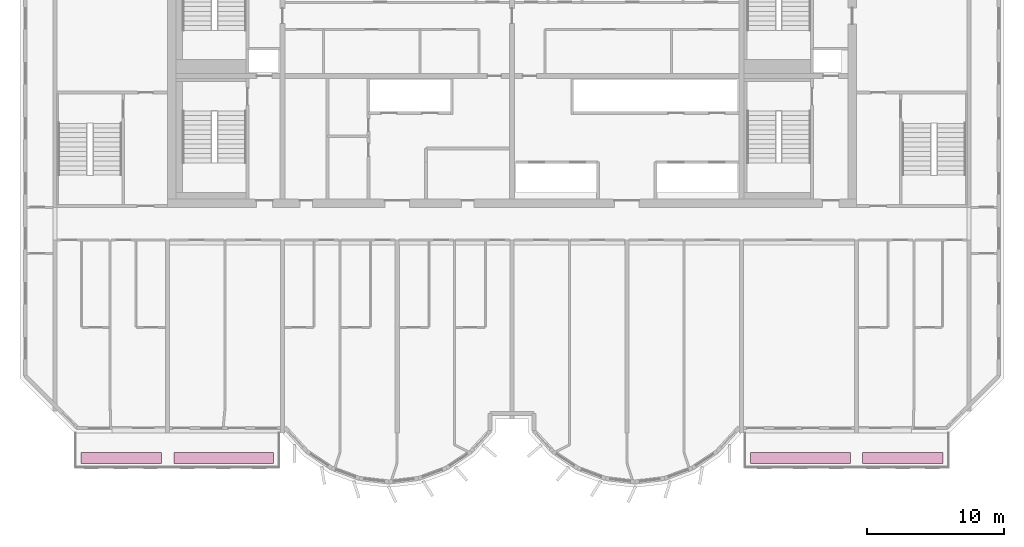
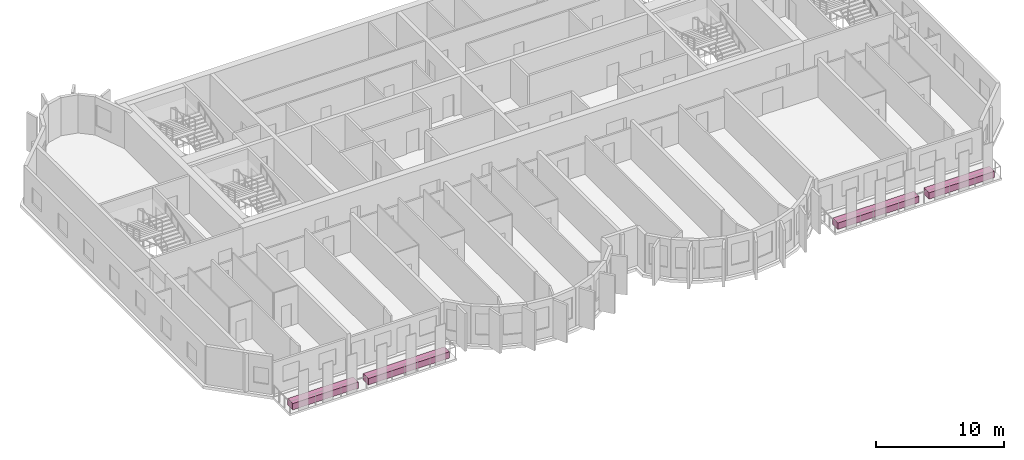
# One storey, part 11 of 11: 4 furniture elements.
"""IFC4 building model written with IfcOpenShell, lengths in metres."""

import ifcopenshell
import ifcopenshell.guid

model = None  # the IFC model being written
_history = None  # IfcOwnerHistory: only IFC2X3 demands one
_inside = {}  # id of a spatial element -> (the spatial element, [elements in it])
_under = {}  # id of a project, library or spatial element -> (it, [spatial elements below it])
_declared = {}  # id of a project -> (the project, [libraries it declares])
_typed = {}  # id of a type object -> (the type object, [elements of that type])
_made_of = {}  # id of a material, layer set ... -> (it, [elements and type objects made of it])


def new_model(schema):
    """Start an empty IFC model of exactly this schema.

    Asked for "IFC4X3", IfcOpenShell would pick the latest addendum, in which some entities
    have other attributes; the version numbers below select the first issue.
    IFC2X3 requires an IfcOwnerHistory on every rooted entity: one is made here for all.
    """
    global model, _history
    if schema == "IFC4X3":
        model = ifcopenshell.file(schema_version=(4, 3, 0, 0))
    else:
        model = ifcopenshell.file(schema=schema)
    _inside.clear()
    _under.clear()
    _declared.clear()
    _typed.clear()
    _made_of.clear()
    _history = None
    if model.schema == "IFC2X3":
        org = make("IfcOrganization", Name="unknown")
        user = make(
            "IfcPersonAndOrganization",
            ThePerson=make("IfcPerson", FamilyName="unknown"),
            TheOrganization=org,
        )
        app = make(
            "IfcApplication",
            ApplicationDeveloper=org,
            Version="unknown",
            ApplicationFullName="unknown",
            ApplicationIdentifier="unknown",
        )
        _history = make(
            "IfcOwnerHistory",
            OwningUser=user,
            OwningApplication=app,
            ChangeAction="ADDED",
            CreationDate=0,
        )
    return model


def make(cls, **values):
    """One entity of the class cls with the attributes given. An attribute that is None is left unset."""
    return model.create_entity(
        cls, **{name: value for name, value in values.items() if value is not None}
    )


def rooted(cls, **values):
    """An entity with a GlobalId (a new one), such as an element, a storey or a relation."""
    return make(cls, GlobalId=ifcopenshell.guid.new(), OwnerHistory=_history, **values)


def si_unit(unit_type, name, prefix=None):
    """IfcSIUnit, for example si_unit("LENGTHUNIT", "METRE", prefix="MILLI")."""
    return make("IfcSIUnit", UnitType=unit_type, Prefix=prefix, Name=name)


def assignment(units):
    """IfcUnitAssignment: the units of a project."""
    return None if units is None else make("IfcUnitAssignment", Units=units)


def point(xyz):
    """IfcCartesianPoint."""
    return None if xyz is None else make("IfcCartesianPoint", Coordinates=xyz)


def direction(xyz):
    """IfcDirection."""
    return None if xyz is None else make("IfcDirection", DirectionRatios=xyz)


def frame(location, z_axis=None, x_axis=None):
    """IfcAxis2Placement3D, a coordinate frame: its origin and axes. An axis left out is left unset."""
    return make(
        "IfcAxis2Placement3D",
        Location=point(location),
        Axis=direction(z_axis),
        RefDirection=direction(x_axis),
    )


def frame_2d(location, x_axis=None):
    """IfcAxis2Placement2D, a coordinate frame in the plane: its origin and x axis."""
    return make(
        "IfcAxis2Placement2D", Location=point(location), RefDirection=direction(x_axis)
    )


def origin():
    """The frame at (0, 0, 0) with its axes left unset."""
    return frame((0.0, 0.0, 0.0))


def origin_2d():
    """The frame at (0, 0) in the plane with its x axis left unset."""
    return frame_2d((0.0, 0.0))


def place(relative_to, where):
    """IfcLocalPlacement: puts the frame where relative to a parent placement (None: the world)."""
    return make(
        "IfcLocalPlacement", PlacementRelTo=relative_to, RelativePlacement=where
    )


def context(
    kind, dimensions, precision=None, world=None, true_north=None, identifier=None
):
    """IfcGeometricRepresentationContext, for example the 3D "Model" context."""
    return make(
        "IfcGeometricRepresentationContext",
        ContextIdentifier=identifier,
        ContextType=kind,
        CoordinateSpaceDimension=dimensions,
        Precision=precision,
        WorldCoordinateSystem=world,
        TrueNorth=true_north,
    )


def subcontext(parent, identifier, kind, view, scale=None):
    """IfcGeometricRepresentationSubContext, for example "Body" below "Model"."""
    return make(
        "IfcGeometricRepresentationSubContext",
        ContextIdentifier=identifier,
        ContextType=kind,
        ParentContext=parent,
        TargetScale=scale,
        TargetView=view,
    )


def project(units=None, contexts=None):
    """IfcProject with its units and contexts."""
    return rooted(
        "IfcProject",
        Name="project",
        RepresentationContexts=contexts,
        UnitsInContext=assignment(units),
    )


def spatial(cls, under=None, at=None, **own):
    """A site, building, storey or space (cls), placed at a placement, below another one or the project."""
    s = rooted(cls, ObjectPlacement=at, **own)
    if under is not None:
        _under.setdefault(under.id(), (under, []))[1].append(s)
    return s


def profile(cls, at=None, kind="AREA", **sizes):
    """A parametric profile (cls). Its sizes go by their IFC names, for example OverallWidth=200.0."""
    return make(cls, ProfileType=kind, Position=at, **sizes)


def rectangle(**sizes):
    """IfcRectangleProfileDef."""
    return profile("IfcRectangleProfileDef", **sizes)


def extrude(swept, where, along, depth):
    """IfcExtrudedAreaSolid: the profile swept, set in the frame where, extruded along a direction by depth."""
    return make(
        "IfcExtrudedAreaSolid",
        SweptArea=swept,
        Position=where,
        ExtrudedDirection=direction(along),
        Depth=depth,
    )


def shape(context_of_items, identifier, shape_type, items):
    """IfcShapeRepresentation: the items that make up one representation, for example the "Body"."""
    return make(
        "IfcShapeRepresentation",
        ContextOfItems=context_of_items,
        RepresentationIdentifier=identifier,
        RepresentationType=shape_type,
        Items=items,
    )


def source(mapping_origin, context_of_items, identifier, shape_type, items):
    """IfcRepresentationMap: a shape defined once, which mapped items show again and again."""
    return make(
        "IfcRepresentationMap",
        MappingOrigin=mapping_origin,
        MappedRepresentation=shape(context_of_items, identifier, shape_type, items),
    )


def transform(
    local_origin,
    x_axis=None,
    y_axis=None,
    z_axis=None,
    scale=None,
    scale2=None,
    scale3=None,
    uniform=True,
):
    """IfcCartesianTransformationOperator3D, or its non-uniform kind. x_axis, y_axis, z_axis: its Axis1, 2, 3."""
    if uniform:
        return make(
            "IfcCartesianTransformationOperator3D",
            Axis1=direction(x_axis),
            Axis2=direction(y_axis),
            LocalOrigin=point(local_origin),
            Scale=scale,
            Axis3=direction(z_axis),
        )
    return make(
        "IfcCartesianTransformationOperator3DnonUniform",
        Axis1=direction(x_axis),
        Axis2=direction(y_axis),
        LocalOrigin=point(local_origin),
        Scale=scale,
        Axis3=direction(z_axis),
        Scale2=scale2,
        Scale3=scale3,
    )


def mapped(mapping_source, mapping_target):
    """IfcMappedItem: shows the shape of a source again, moved by a transform."""
    return make(
        "IfcMappedItem", MappingSource=mapping_source, MappingTarget=mapping_target
    )


def material(Name=None, Category=None):
    """IfcMaterial."""
    return make("IfcMaterial", Name=Name, Category=Category)


def made_of(thing, what):
    """Note that an element or type object is made of a material, layer set ...; save() writes the relation."""
    if what is not None:
        _made_of.setdefault(what.id(), (what, []))[1].append(thing)
    return thing


def type_object(cls, material=None, **own):
    """A type object (cls), such as IfcWallType, which elements share."""
    return made_of(rooted(cls, **own), material)


def element(
    cls,
    number,
    at=None,
    inside=None,
    cuts=None,
    type_object=None,
    material=None,
    context=None,
    identifier="Body",
    shape_type=None,
    held_by="IfcProductDefinitionShape",
    body=None,
    shapes=None,
    **own,
):
    """One element of the class cls, such as IfcWall. Its Tag is "e" and its number.

    at: its placement. inside: the storey or other place that contains it. cuts: it is an
    opening in that element (IfcRelVoidsElement). A single representation is given by context,
    identifier, shape_type and body (its items); several are given by shapes. held_by: the class
    of the entity that holds the representations. save() writes the other relations.
    """
    e = rooted(cls, Tag="e%d" % number, ObjectPlacement=at, **own)
    if body is not None:
        shapes = [shape(context, identifier, shape_type, body)]
    if shapes is not None:
        e.Representation = make(held_by, Representations=shapes)
    if inside is not None:
        _inside.setdefault(inside.id(), (inside, []))[1].append(e)
    if cuts is not None:
        rooted(
            "IfcRelVoidsElement", RelatingBuildingElement=cuts, RelatedOpeningElement=e
        )
    if type_object is not None:
        _typed.setdefault(type_object.id(), (type_object, []))[1].append(e)
    return made_of(e, material)


def aggregate(whole, parts):
    """IfcRelAggregates: a whole, such as a stair, and the parts it consists of."""
    return rooted("IfcRelAggregates", RelatingObject=whole, RelatedObjects=parts)


def save(model, path):
    """Write the relations noted so far, then the file.

    IfcRelAggregates (storeys below a building ...), IfcRelContainedInSpatialStructure (elements
    in a storey), IfcRelDefinesByType, IfcRelAssociatesMaterial and IfcRelDeclares: one each for
    every whole, place, type object, material and project.
    """
    for whole, parts in _under.values():
        aggregate(whole, parts)
    for where, things in _inside.values():
        rooted(
            "IfcRelContainedInSpatialStructure",
            RelatedElements=things,
            RelatingStructure=where,
        )
    for kind, things in _typed.values():
        rooted("IfcRelDefinesByType", RelatedObjects=things, RelatingType=kind)
    for what, things in _made_of.values():
        rooted("IfcRelAssociatesMaterial", RelatedObjects=things, RelatingMaterial=what)
    for by, libraries in _declared.values():
        rooted("IfcRelDeclares", RelatingContext=by, RelatedDefinitions=libraries)
    model.write(path)


model = new_model("IFC4")

# Units and contexts
model_context = context("Model", 3, precision=1e-05, world=origin(), true_north=direction((0.0, 1.0)))
body_context = subcontext(model_context, "Body", "Model", "MODEL_VIEW")
ifc_project = project(units=[si_unit("LENGTHUNIT", "METRE"), si_unit("AREAUNIT", "SQUARE_METRE"), si_unit("VOLUMEUNIT", "CUBIC_METRE"), si_unit("PLANEANGLEUNIT", "RADIAN"), si_unit("MASSUNIT", "GRAM", prefix="KILO")], contexts=[model_context])

# Site, building, storey
site_placement = place(None, origin())
site = spatial("IfcSite", under=ifc_project, at=site_placement, CompositionType="ELEMENT")
building_placement = place(site_placement, origin())
building = spatial("IfcBuilding", under=site, at=building_placement, Name="Vanashikhar Sky Hotel", CompositionType="ELEMENT")
storey_placement = place(building_placement, frame((0.0, 0.0, 241.300048828125)))
storey = spatial("IfcBuildingStorey", under=building, at=storey_placement, Name="L58", CompositionType="ELEMENT", Elevation=241.300048828125)

# Furniture
ifc_material = material(Name="Planting soil and shrubs")
furniture_type = type_object("IfcFurnitureType", Name="Planter trough", AssemblyPlace="NOTDEFINED", PredefinedType="USERDEFINED", material=ifc_material)
shared_shape_1 = source(origin(), body_context, "Body", "SweptSolid", [
    extrude(rectangle(XDim=7.300048828125, YDim=0.800048828125, at=origin_2d()), origin(), (0.0, 0.0, 1.0), 0.60009765625),
])
for number, where, z_axis, x_axis, name in (
    (1, (29.300048828125, 3.64990234375, -0.050048828125), (0.0, 0.0, 1.0), (1.0, 0.0, 0.0), "PLANTER with climbers"),
    (2, (71.5, 3.64990234375, -0.050048828125), (0.0, 0.0, 1.0), (1.0, 0.0, 0.0), "PLANTER with climbers"),
):
    element("IfcFurniture", number, at=place(storey_placement, frame(where, z_axis=z_axis, x_axis=x_axis)), inside=storey, type_object=furniture_type, Name=name, ObjectType="PLANTER", PredefinedType="USERDEFINED", context=body_context, shape_type="MappedRepresentation", body=[
        mapped(shared_shape_1, transform((0.0, 0.0, 0.0), scale=1.0)),
    ])
shared_shape_2 = source(origin(), body_context, "Body", "SweptSolid", [
    extrude(rectangle(XDim=5.89990234375, YDim=0.800048828125, at=origin_2d()), origin(), (0.0, 0.0, 1.0), 0.60009765625),
])
for number, where, z_axis, x_axis, name in (
    (3, (21.800048828125, 3.64990234375, -0.050048828125), (0.0, 0.0, 1.0), (1.0, 0.0, 0.0), "PLANTER with climbers"),
    (4, (79.0, 3.64990234375, -0.050048828125), (0.0, 0.0, 1.0), (1.0, 0.0, 0.0), "PLANTER with climbers"),
):
    element("IfcFurniture", number, at=place(storey_placement, frame(where, z_axis=z_axis, x_axis=x_axis)), inside=storey, type_object=furniture_type, Name=name, ObjectType="PLANTER", PredefinedType="USERDEFINED", context=body_context, shape_type="MappedRepresentation", body=[
        mapped(shared_shape_2, transform((0.0, 0.0, 0.0), scale=1.0)),
    ])

save(model, "model.ifc")
